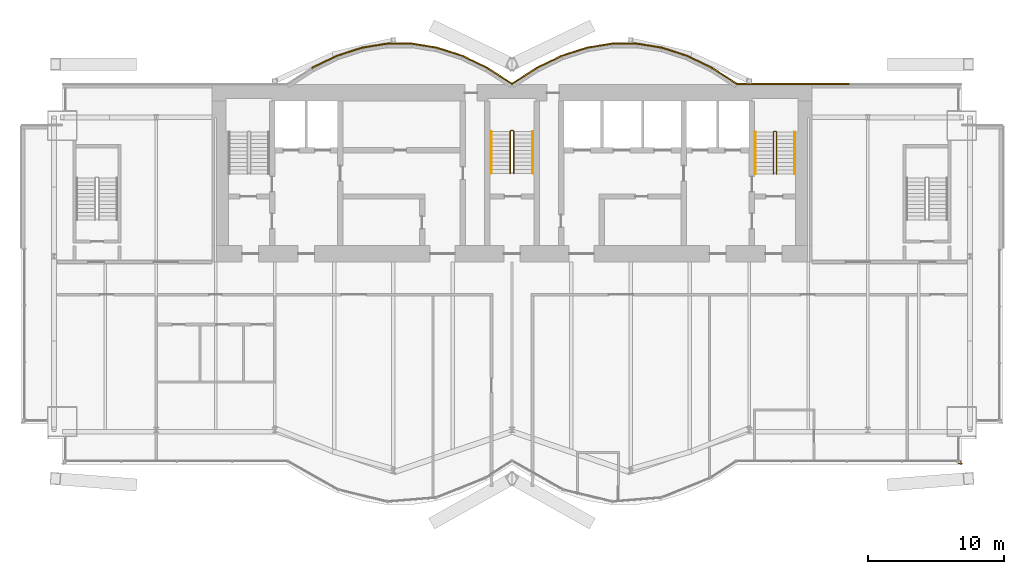
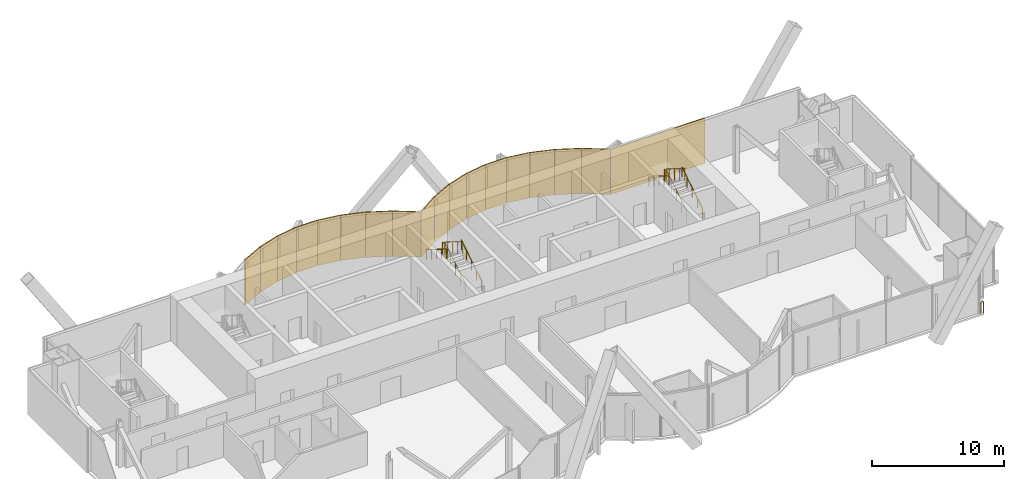
# One storey, part 18 of 19: 18 coverings, 7 railings.
"""IFC4 building model written with IfcOpenShell, lengths in metres."""

from ifc_helpers import new_model, si_unit, direction, frame, origin, origin_2d, place, context, subcontext, project, spatial, rectangle, circle, extrude, material, layer, layer_set, type_object, element, save


model = new_model("IFC4")

# Units and contexts
model_context = context("Model", 3, precision=1e-05, world=origin(), true_north=direction((0.0, 1.0)))
body_context = subcontext(model_context, "Body", "Model", "MODEL_VIEW")
ifc_project = project(units=[si_unit("LENGTHUNIT", "METRE"), si_unit("AREAUNIT", "SQUARE_METRE"), si_unit("VOLUMEUNIT", "CUBIC_METRE"), si_unit("PLANEANGLEUNIT", "RADIAN"), si_unit("MASSUNIT", "GRAM", prefix="KILO")], contexts=[model_context])

# Site, building, storey
site_placement = place(None, origin())
site = spatial("IfcSite", under=ifc_project, at=site_placement, CompositionType="ELEMENT")
building_placement = place(site_placement, origin())
building = spatial("IfcBuilding", under=site, at=building_placement, Name="Bicima Exchange Tower", CompositionType="ELEMENT")
storey_placement = place(building_placement, frame((0.0, 0.0, 283.39990234375)))
storey = spatial("IfcBuildingStorey", under=building, at=storey_placement, Name="L64", CompositionType="ELEMENT", Elevation=283.39990234375)

# Coverings
ifc_material_1 = material(Name="Bronze metal cladding")
ifc_layer_1 = layer(ifc_material_1, 0.004)
ifc_material_2 = material(Name="Ventilated cavity")
ifc_layer_2 = layer(ifc_material_2, 0.06)
ifc_material_3 = material(Name="Galvanised steel rail and mineral wool", Category="steel")
ifc_layer_3 = layer(ifc_material_3, 0.036)
ifc_layer_set = layer_set([ifc_layer_1, ifc_layer_2, ifc_layer_3], Name="Ventilated cavity")
covering_type = type_object("IfcCoveringType", Name="Bronze metal cladding panel 100", PredefinedType="CLADDING", material=ifc_layer_set)
covering_1_placement = place(storey_placement, frame((20.625, 0.050048828125, -0.14990234375), z_axis=(0.0, 0.0, 1.0), x_axis=(-1.0, 0.0, 0.0)))
element("IfcCovering", 1, at=covering_1_placement, inside=storey, type_object=covering_type, Name="Bronze cladding L64 1.2", PredefinedType="CLADDING", context=body_context, shape_type="SweptSolid", body=[
    extrude(rectangle(XDim=8.25, YDim=0.10009765625, at=origin_2d()), origin(), (0.0, 0.0, 1.0), 4.14990234375),
])
covering_2_placement = place(storey_placement, frame((15.610595703125, 0.634521484375, -0.14990234375), z_axis=(0.0, 0.0, 1.0), x_axis=(-0.839790466384, 0.542910648791, 0.0)))
element("IfcCovering", 2, at=covering_2_placement, inside=storey, type_object=covering_type, Name="Bronze cladding L64 2.1", PredefinedType="CLADDING", context=body_context, shape_type="SweptSolid", body=[
    extrude(rectangle(XDim=2.18310546875, YDim=0.10009765625, at=origin_2d()), origin(), (0.0, 0.0, 1.0), 4.14990234375),
])
covering_3_placement = place(storey_placement, frame((13.771728515625, 1.674560546875, -0.14990234375), z_axis=(0.0, 0.0, 1.0), x_axis=(-0.899818346812, 0.436264762204, 0.0)))
element("IfcCovering", 3, at=covering_3_placement, inside=storey, type_object=covering_type, Name="Bronze cladding L64 3.1", PredefinedType="CLADDING", context=body_context, shape_type="SweptSolid", body=[
    extrude(rectangle(XDim=2.03759765625, YDim=0.10009765625, at=origin_2d()), origin(), (0.0, 0.0, 1.0), 4.14990234375),
])
covering_4_placement = place(storey_placement, frame((11.931884765625, 2.41796875, -0.14990234375), z_axis=(0.0, 0.0, 1.0), x_axis=(-0.951524642381, 0.307572519808, 0.0)))
element("IfcCovering", 4, at=covering_4_placement, inside=storey, type_object=covering_type, Name="Bronze cladding L64 4.1", PredefinedType="CLADDING", context=body_context, shape_type="SweptSolid", body=[
    extrude(rectangle(XDim=1.9267578125, YDim=0.10009765625, at=origin_2d()), origin(), (0.0, 0.0, 1.0), 4.14990234375),
])
covering_5_placement = place(storey_placement, frame((10.09130859375, 2.8642578125, -0.14990234375), z_axis=(0.0, 0.0, 1.0), x_axis=(-0.987189786347, 0.159550386184, 0.0)))
element("IfcCovering", 5, at=covering_5_placement, inside=storey, type_object=covering_type, Name="Bronze cladding L64 5.1", PredefinedType="CLADDING", context=body_context, shape_type="SweptSolid", body=[
    extrude(rectangle(XDim=1.857177734375, YDim=0.10009765625, at=origin_2d()), origin(), (0.0, 0.0, 1.0), 4.14990234375),
])
covering_6_placement = place(storey_placement, frame((8.25, 3.012939453125, -0.14990234375), z_axis=(0.0, 0.0, 1.0), x_axis=(-1.0, 0.0, 0.0)))
element("IfcCovering", 6, at=covering_6_placement, inside=storey, type_object=covering_type, Name="Bronze cladding L64 6.1", PredefinedType="CLADDING", context=body_context, shape_type="SweptSolid", body=[
    extrude(rectangle(XDim=1.83349609375, YDim=0.10009765625, at=origin_2d()), origin(), (0.0, 0.0, 1.0), 4.14990234375),
])
covering_7_placement = place(storey_placement, frame((6.40869140625, 2.8642578125, -0.14990234375), z_axis=(0.0, 0.0, 1.0), x_axis=(-0.987189786347, -0.159550386184, 0.0)))
element("IfcCovering", 7, at=covering_7_placement, inside=storey, type_object=covering_type, Name="Bronze cladding L64 7.1", PredefinedType="CLADDING", context=body_context, shape_type="SweptSolid", body=[
    extrude(rectangle(XDim=1.857177734375, YDim=0.10009765625, at=origin_2d()), origin(), (0.0, 0.0, 1.0), 4.14990234375),
])
covering_8_placement = place(storey_placement, frame((4.568115234375, 2.41796875, -0.14990234375), z_axis=(0.0, 0.0, 1.0), x_axis=(-0.951524642381, -0.307572519808, 0.0)))
element("IfcCovering", 8, at=covering_8_placement, inside=storey, type_object=covering_type, Name="Bronze cladding L64 8.1", PredefinedType="CLADDING", context=body_context, shape_type="SweptSolid", body=[
    extrude(rectangle(XDim=1.9267578125, YDim=0.10009765625, at=origin_2d()), origin(), (0.0, 0.0, 1.0), 4.14990234375),
])
covering_9_placement = place(storey_placement, frame((2.728271484375, 1.674560546875, -0.14990234375), z_axis=(0.0, 0.0, 1.0), x_axis=(-0.899818346812, -0.436264762204, 0.0)))
element("IfcCovering", 9, at=covering_9_placement, inside=storey, type_object=covering_type, Name="Bronze cladding L64 9.1", PredefinedType="CLADDING", context=body_context, shape_type="SweptSolid", body=[
    extrude(rectangle(XDim=2.03759765625, YDim=0.10009765625, at=origin_2d()), origin(), (0.0, 0.0, 1.0), 4.14990234375),
])
for number, where, z_axis, x_axis, name in (
    (10, (0.889404296875, 0.634521484375, -0.14990234375), (0.0, 0.0, 1.0), (-0.839790466384, -0.542910648791, 0.0), "Bronze cladding L64 10.1"),
    (11, (-0.889404296875, 0.634521484375, -0.14990234375), (0.0, 0.0, 1.0), (-0.839790466384, 0.542910648791, 0.0), "Bronze cladding L64 11.1"),
):
    element("IfcCovering", number, at=place(storey_placement, frame(where, z_axis=z_axis, x_axis=x_axis)), inside=storey, type_object=covering_type, Name=name, PredefinedType="CLADDING", context=body_context, shape_type="SweptSolid", body=[
        extrude(rectangle(XDim=2.18310546875, YDim=0.10009765625, at=origin_2d()), origin(), (0.0, 0.0, 1.0), 4.14990234375),
    ])
covering_10_placement = place(storey_placement, frame((-2.728271484375, 1.674560546875, -0.14990234375), z_axis=(0.0, 0.0, 1.0), x_axis=(-0.899818346812, 0.436264762204, 0.0)))
element("IfcCovering", 12, at=covering_10_placement, inside=storey, type_object=covering_type, Name="Bronze cladding L64 12.1", PredefinedType="CLADDING", context=body_context, shape_type="SweptSolid", body=[
    extrude(rectangle(XDim=2.03759765625, YDim=0.10009765625, at=origin_2d()), origin(), (0.0, 0.0, 1.0), 4.14990234375),
])
covering_11_placement = place(storey_placement, frame((-4.568115234375, 2.41796875, -0.14990234375), z_axis=(0.0, 0.0, 1.0), x_axis=(-0.951524642381, 0.307572519808, 0.0)))
element("IfcCovering", 13, at=covering_11_placement, inside=storey, type_object=covering_type, Name="Bronze cladding L64 13.1", PredefinedType="CLADDING", context=body_context, shape_type="SweptSolid", body=[
    extrude(rectangle(XDim=1.9267578125, YDim=0.10009765625, at=origin_2d()), origin(), (0.0, 0.0, 1.0), 4.14990234375),
])
covering_12_placement = place(storey_placement, frame((-6.40869140625, 2.8642578125, -0.14990234375), z_axis=(0.0, 0.0, 1.0), x_axis=(-0.987189786347, 0.159550386184, 0.0)))
element("IfcCovering", 14, at=covering_12_placement, inside=storey, type_object=covering_type, Name="Bronze cladding L64 14.1", PredefinedType="CLADDING", context=body_context, shape_type="SweptSolid", body=[
    extrude(rectangle(XDim=1.857177734375, YDim=0.10009765625, at=origin_2d()), origin(), (0.0, 0.0, 1.0), 4.14990234375),
])
covering_13_placement = place(storey_placement, frame((-8.25, 3.012939453125, -0.14990234375), z_axis=(0.0, 0.0, 1.0), x_axis=(-1.0, 0.0, 0.0)))
element("IfcCovering", 15, at=covering_13_placement, inside=storey, type_object=covering_type, Name="Bronze cladding L64 15.1", PredefinedType="CLADDING", context=body_context, shape_type="SweptSolid", body=[
    extrude(rectangle(XDim=1.83349609375, YDim=0.10009765625, at=origin_2d()), origin(), (0.0, 0.0, 1.0), 4.14990234375),
])
covering_14_placement = place(storey_placement, frame((-10.09130859375, 2.8642578125, -0.14990234375), z_axis=(0.0, 0.0, 1.0), x_axis=(-0.987189786347, -0.159550386184, 0.0)))
element("IfcCovering", 16, at=covering_14_placement, inside=storey, type_object=covering_type, Name="Bronze cladding L64 16.1", PredefinedType="CLADDING", context=body_context, shape_type="SweptSolid", body=[
    extrude(rectangle(XDim=1.857177734375, YDim=0.10009765625, at=origin_2d()), origin(), (0.0, 0.0, 1.0), 4.14990234375),
])
covering_15_placement = place(storey_placement, frame((-11.931884765625, 2.41796875, -0.14990234375), z_axis=(0.0, 0.0, 1.0), x_axis=(-0.951524642381, -0.307572519808, 0.0)))
element("IfcCovering", 17, at=covering_15_placement, inside=storey, type_object=covering_type, Name="Bronze cladding L64 17.1", PredefinedType="CLADDING", context=body_context, shape_type="SweptSolid", body=[
    extrude(rectangle(XDim=1.9267578125, YDim=0.10009765625, at=origin_2d()), origin(), (0.0, 0.0, 1.0), 4.14990234375),
])
covering_16_placement = place(storey_placement, frame((-13.771728515625, 1.674560546875, -0.14990234375), z_axis=(0.0, 0.0, 1.0), x_axis=(-0.899818346812, -0.436264762204, 0.0)))
element("IfcCovering", 18, at=covering_16_placement, inside=storey, type_object=covering_type, Name="Bronze cladding L64 18.1", PredefinedType="CLADDING", context=body_context, shape_type="SweptSolid", body=[
    extrude(rectangle(XDim=2.03759765625, YDim=0.10009765625, at=origin_2d()), origin(), (0.0, 0.0, 1.0), 4.14990234375),
])

# Railings
ifc_material_4 = material(Name="Stainless steel and bonded safety glass", Category="steel")
railing_type_1 = type_object("IfcRailingType", Name="Edge guard 1100", PredefinedType="GUARDRAIL", material=ifc_material_4)
railing_1_placement = place(storey_placement, frame((32.949951171875, -27.610107421875, 0.0)))
element("IfcRailing", 19, at=railing_1_placement, inside=storey, type_object=railing_type_1, Name="Edge guard L64 334", PredefinedType="GUARDRAIL", context=body_context, shape_type="SweptSolid", body=[
    extrude(circle(Radius=0.02392578125, at=origin_2d()), frame((0.0, 0.0, 1.076171875), z_axis=(0.0, -1.0, 0.0), x_axis=(1.0, 0.0, 0.0)), (0.0, 0.0, 1.0), 0.23779296875),
    extrude(circle(Radius=0.02392578125, at=origin_2d()), frame((0.0, -0.23779296875, 1.076171875), z_axis=(0.708833529934, 0.705375805398, 0.0), x_axis=(-0.705375805398, 0.708833529934, 0.0)), (0.0, 0.0, 1.0), 0.070556640625),
    extrude(circle(Radius=0.02392578125, at=origin_2d()), frame((0.050048828125, -0.18798828125, 1.076171875), z_axis=(-1.0, 0.0, 0.0), x_axis=(0.0, -1.0, 0.0)), (0.0, 0.0, 1.0), 0.25),
    extrude(circle(Radius=0.02099609375, at=origin_2d()), origin(), (0.0, 0.0, 1.0), 1.052001953125),
    extrude(circle(Radius=0.02099609375, at=origin_2d()), frame((0.0, -0.23779296875, 0.0)), (0.0, 0.0, 1.0), 1.052001953125),
    extrude(circle(Radius=0.02099609375, at=origin_2d()), frame((0.050048828125, -0.18798828125, 0.0)), (0.0, 0.0, 1.0), 1.052001953125),
    extrude(circle(Radius=0.02099609375, at=origin_2d()), frame((-0.199951171875, -0.18798828125, 0.0)), (0.0, 0.0, 1.0), 1.052001953125),
])
ifc_material_5 = material(Name="Stainless steel", Category="steel")
railing_type_2 = type_object("IfcRailingType", Name="Stair guard 1100", PredefinedType="GUARDRAIL", material=ifc_material_5)
railing_2_placement = place(storey_placement, frame((0.125, -6.5, 0.175048828125)))
element("IfcRailing", 20, at=railing_2_placement, inside=storey, type_object=railing_type_2, Name="L64 ST-C stair guard 1", PredefinedType="GUARDRAIL", context=body_context, shape_type="SweptSolid", body=[
    extrude(circle(Radius=0.02392578125, at=origin_2d()), frame((0.0, 0.0, 1.076171875), z_axis=(0.0, 0.847998304005, 0.529998940003), x_axis=(-1.0, 0.0, 0.0)), (0.0, 0.0, 1.0), 3.632080078125),
    extrude(circle(Radius=0.02392578125, at=origin_2d()), frame((0.0, 3.080078125, 3.0009765625), z_axis=(-0.708833529934, 0.705375805398, 0.0), x_axis=(-0.705375805398, -0.708833529934, 0.0)), (0.0, 0.0, 1.0), 0.070556640625),
    extrude(circle(Radius=0.02392578125, at=origin_2d()), frame((-0.050048828125, 3.1298828125, 3.0009765625), z_axis=(-1.0, 0.0, 0.0), x_axis=(0.0, -1.0, 0.0)), (0.0, 0.0, 1.0), 0.14990234375),
    extrude(circle(Radius=0.02392578125, at=origin_2d()), frame((-0.199951171875, 3.1298828125, 3.0009765625), z_axis=(-0.265155923931, -0.263862480399, 0.927399011991), x_axis=(0.705375805398, -0.708833529934, 0.0)), (0.0, 0.0, 1.0), 0.188720703125),
    extrude(circle(Radius=0.02392578125, at=origin_2d()), frame((-0.25, 3.080078125, 3.17626953125), z_axis=(0.0, -0.847998304005, 0.529998940003), x_axis=(1.0, 0.0, 0.0)), (0.0, 0.0, 1.0), 3.632080078125),
    extrude(circle(Radius=0.02099609375, at=origin_2d()), origin(), (0.0, 0.0, 1.0), 1.052001953125),
    extrude(circle(Radius=0.02099609375, at=origin_2d()), frame((0.0, 0.77001953125, 0.481201171875)), (0.0, 0.0, 1.0), 1.052001953125),
    extrude(circle(Radius=0.02099609375, at=origin_2d()), frame((0.0, 1.5400390625, 0.96240234375)), (0.0, 0.0, 1.0), 1.052001953125),
    extrude(circle(Radius=0.02099609375, at=origin_2d()), frame((0.0, 2.31005859375, 1.44384765625)), (0.0, 0.0, 1.0), 1.052001953125),
    extrude(circle(Radius=0.02099609375, at=origin_2d()), frame((0.0, 3.080078125, 1.925048828125)), (0.0, 0.0, 1.0), 1.052001953125),
    extrude(circle(Radius=0.02099609375, at=origin_2d()), frame((-0.050048828125, 3.1298828125, 1.925048828125)), (0.0, 0.0, 1.0), 1.052001953125),
    extrude(circle(Radius=0.02099609375, at=origin_2d()), frame((-0.199951171875, 3.1298828125, 1.925048828125)), (0.0, 0.0, 1.0), 1.052001953125),
    extrude(circle(Radius=0.02099609375, at=origin_2d()), frame((-0.25, 3.080078125, 2.10009765625)), (0.0, 0.0, 1.0), 1.052001953125),
    extrude(circle(Radius=0.02099609375, at=origin_2d()), frame((-0.25, 2.31005859375, 2.581298828125)), (0.0, 0.0, 1.0), 1.052001953125),
    extrude(circle(Radius=0.02099609375, at=origin_2d()), frame((-0.25, 1.5400390625, 3.0625)), (0.0, 0.0, 1.0), 1.052001953125),
    extrude(circle(Radius=0.02099609375, at=origin_2d()), frame((-0.25, 0.77001953125, 3.5439453125)), (0.0, 0.0, 1.0), 1.052001953125),
    extrude(circle(Radius=0.02099609375, at=origin_2d()), frame((-0.25, 0.0, 4.025146484375)), (0.0, 0.0, 1.0), 1.052001953125),
])
railing_3_placement = place(storey_placement, frame((19.39990234375, -6.550048828125, 0.175048828125)))
element("IfcRailing", 21, at=railing_3_placement, inside=storey, type_object=railing_type_2, Name="L64 ST-E stair guard 1", PredefinedType="GUARDRAIL", context=body_context, shape_type="SweptSolid", body=[
    extrude(circle(Radius=0.02392578125, at=origin_2d()), frame((0.0, 0.0, 1.076171875), z_axis=(0.0, 0.847998304005, 0.529998940003), x_axis=(-1.0, 0.0, 0.0)), (0.0, 0.0, 1.0), 3.632080078125),
    extrude(circle(Radius=0.02392578125, at=origin_2d()), frame((0.0, 3.080078125, 3.0009765625), z_axis=(-0.705375805398, 0.708833529934, 0.0), x_axis=(-0.708833529934, -0.705375805398, 0.0)), (0.0, 0.0, 1.0), 0.070556640625),
    extrude(circle(Radius=0.02392578125, at=origin_2d()), frame((-0.0498046875, 3.130126953125, 3.0009765625), z_axis=(-1.0, 0.0, 0.0), x_axis=(0.0, -1.0, 0.0)), (0.0, 0.0, 1.0), 0.10009765625),
    extrude(circle(Radius=0.02392578125, at=origin_2d()), frame((-0.14990234375, 3.130126953125, 3.0009765625), z_axis=(-0.265065253269, -0.265065253269, 0.927081885822), x_axis=(0.707106781187, -0.707106781187, 0.0)), (0.0, 0.0, 1.0), 0.188720703125),
    extrude(circle(Radius=0.02392578125, at=origin_2d()), frame((-0.199951171875, 3.080078125, 3.17626953125), z_axis=(0.0, -0.847998304005, 0.529998940003), x_axis=(1.0, 0.0, 0.0)), (0.0, 0.0, 1.0), 3.632080078125),
    extrude(circle(Radius=0.02099609375, at=origin_2d()), origin(), (0.0, 0.0, 1.0), 1.052001953125),
    extrude(circle(Radius=0.02099609375, at=origin_2d()), frame((0.0, 0.77001953125, 0.481201171875)), (0.0, 0.0, 1.0), 1.052001953125),
    extrude(circle(Radius=0.02099609375, at=origin_2d()), frame((0.0, 1.5400390625, 0.96240234375)), (0.0, 0.0, 1.0), 1.052001953125),
    extrude(circle(Radius=0.02099609375, at=origin_2d()), frame((0.0, 2.31005859375, 1.44384765625)), (0.0, 0.0, 1.0), 1.052001953125),
    extrude(circle(Radius=0.02099609375, at=origin_2d()), frame((0.0, 3.080078125, 1.925048828125)), (0.0, 0.0, 1.0), 1.052001953125),
    extrude(circle(Radius=0.02099609375, at=origin_2d()), frame((-0.0498046875, 3.130126953125, 1.925048828125)), (0.0, 0.0, 1.0), 1.052001953125),
    extrude(circle(Radius=0.02099609375, at=origin_2d()), frame((-0.14990234375, 3.130126953125, 1.925048828125)), (0.0, 0.0, 1.0), 1.052001953125),
    extrude(circle(Radius=0.02099609375, at=origin_2d()), frame((-0.199951171875, 3.080078125, 2.10009765625)), (0.0, 0.0, 1.0), 1.052001953125),
    extrude(circle(Radius=0.02099609375, at=origin_2d()), frame((-0.199951171875, 2.31005859375, 2.581298828125)), (0.0, 0.0, 1.0), 1.052001953125),
    extrude(circle(Radius=0.02099609375, at=origin_2d()), frame((-0.199951171875, 1.5400390625, 3.0625)), (0.0, 0.0, 1.0), 1.052001953125),
    extrude(circle(Radius=0.02099609375, at=origin_2d()), frame((-0.199951171875, 0.77001953125, 3.5439453125)), (0.0, 0.0, 1.0), 1.052001953125),
    extrude(circle(Radius=0.02099609375, at=origin_2d()), frame((-0.199951171875, 0.0, 4.025146484375)), (0.0, 0.0, 1.0), 1.052001953125),
])
railing_type_3 = type_object("IfcRailingType", Name="Stair handrail 900", PredefinedType="HANDRAIL", material=ifc_material_5)
railing_4_placement = place(storey_placement, frame((1.52490234375, -6.5, 0.175048828125)))
element("IfcRailing", 22, at=railing_4_placement, inside=storey, type_object=railing_type_3, Name="L64 ST-C stair handrail 1", PredefinedType="HANDRAIL", context=body_context, shape_type="SweptSolid", body=[
    extrude(circle(Radius=0.02392578125, at=origin_2d()), frame((0.0, 0.0, 0.8759765625), z_axis=(0.0, 0.847998304005, 0.529998940003), x_axis=(-1.0, 0.0, 0.0)), (0.0, 0.0, 1.0), 3.632080078125),
    extrude(circle(Radius=0.02099609375, at=origin_2d()), origin(), (0.0, 0.0, 1.0), 0.851806640625),
    extrude(circle(Radius=0.02099609375, at=origin_2d()), frame((0.0, 0.77001953125, 0.481201171875)), (0.0, 0.0, 1.0), 0.851806640625),
    extrude(circle(Radius=0.02099609375, at=origin_2d()), frame((0.0, 1.5400390625, 0.96240234375)), (0.0, 0.0, 1.0), 0.851806640625),
    extrude(circle(Radius=0.02099609375, at=origin_2d()), frame((0.0, 2.31005859375, 1.44384765625)), (0.0, 0.0, 1.0), 0.851806640625),
    extrude(circle(Radius=0.02099609375, at=origin_2d()), frame((0.0, 3.080078125, 1.925048828125)), (0.0, 0.0, 1.0), 0.851806640625),
])
railing_5_placement = place(storey_placement, frame((-1.52490234375, -3.419921875, 2.275146484375)))
element("IfcRailing", 23, at=railing_5_placement, inside=storey, type_object=railing_type_3, Name="L64 ST-C stair handrail 2", PredefinedType="HANDRAIL", context=body_context, shape_type="SweptSolid", body=[
    extrude(circle(Radius=0.02392578125, at=origin_2d()), frame((0.0, 0.0, 0.8759765625), z_axis=(0.0, -0.847998304005, 0.529998940003), x_axis=(1.0, 0.0, 0.0)), (0.0, 0.0, 1.0), 3.632080078125),
    extrude(circle(Radius=0.02099609375, at=origin_2d()), origin(), (0.0, 0.0, 1.0), 0.851806640625),
    extrude(circle(Radius=0.02099609375, at=origin_2d()), frame((0.0, -0.77001953125, 0.481201171875)), (0.0, 0.0, 1.0), 0.851806640625),
    extrude(circle(Radius=0.02099609375, at=origin_2d()), frame((0.0, -1.5400390625, 0.96240234375)), (0.0, 0.0, 1.0), 0.851806640625),
    extrude(circle(Radius=0.02099609375, at=origin_2d()), frame((0.0, -2.31005859375, 1.44384765625)), (0.0, 0.0, 1.0), 0.851806640625),
    extrude(circle(Radius=0.02099609375, at=origin_2d()), frame((0.0, -3.080078125, 1.925048828125)), (0.0, 0.0, 1.0), 0.851806640625),
])
railing_6_placement = place(storey_placement, frame((20.75, -6.550048828125, 0.175048828125)))
element("IfcRailing", 24, at=railing_6_placement, inside=storey, type_object=railing_type_3, Name="L64 ST-E stair handrail 1", PredefinedType="HANDRAIL", context=body_context, shape_type="SweptSolid", body=[
    extrude(circle(Radius=0.02392578125, at=origin_2d()), frame((0.0, 0.0, 0.8759765625), z_axis=(0.0, 0.847998304005, 0.529998940003), x_axis=(-1.0, 0.0, 0.0)), (0.0, 0.0, 1.0), 3.632080078125),
    extrude(circle(Radius=0.02099609375, at=origin_2d()), origin(), (0.0, 0.0, 1.0), 0.851806640625),
    extrude(circle(Radius=0.02099609375, at=origin_2d()), frame((0.0, 0.77001953125, 0.481201171875)), (0.0, 0.0, 1.0), 0.851806640625),
    extrude(circle(Radius=0.02099609375, at=origin_2d()), frame((0.0, 1.5400390625, 0.96240234375)), (0.0, 0.0, 1.0), 0.851806640625),
    extrude(circle(Radius=0.02099609375, at=origin_2d()), frame((0.0, 2.31005859375, 1.44384765625)), (0.0, 0.0, 1.0), 0.851806640625),
    extrude(circle(Radius=0.02099609375, at=origin_2d()), frame((0.0, 3.080078125, 1.925048828125)), (0.0, 0.0, 1.0), 0.851806640625),
])
railing_7_placement = place(storey_placement, frame((17.85009765625, -3.469970703125, 2.275146484375)))
element("IfcRailing", 25, at=railing_7_placement, inside=storey, type_object=railing_type_3, Name="L64 ST-E stair handrail 2", PredefinedType="HANDRAIL", context=body_context, shape_type="SweptSolid", body=[
    extrude(circle(Radius=0.02392578125, at=origin_2d()), frame((0.0, 0.0, 0.8759765625), z_axis=(0.0, -0.847998304005, 0.529998940003), x_axis=(1.0, 0.0, 0.0)), (0.0, 0.0, 1.0), 3.632080078125),
    extrude(circle(Radius=0.02099609375, at=origin_2d()), origin(), (0.0, 0.0, 1.0), 0.851806640625),
    extrude(circle(Radius=0.02099609375, at=origin_2d()), frame((0.0, -0.77001953125, 0.481201171875)), (0.0, 0.0, 1.0), 0.851806640625),
    extrude(circle(Radius=0.02099609375, at=origin_2d()), frame((0.0, -1.5400390625, 0.96240234375)), (0.0, 0.0, 1.0), 0.851806640625),
    extrude(circle(Radius=0.02099609375, at=origin_2d()), frame((0.0, -2.31005859375, 1.44384765625)), (0.0, 0.0, 1.0), 0.851806640625),
    extrude(circle(Radius=0.02099609375, at=origin_2d()), frame((0.0, -3.080078125, 1.925048828125)), (0.0, 0.0, 1.0), 0.851806640625),
])

save(model, "model.ifc")
